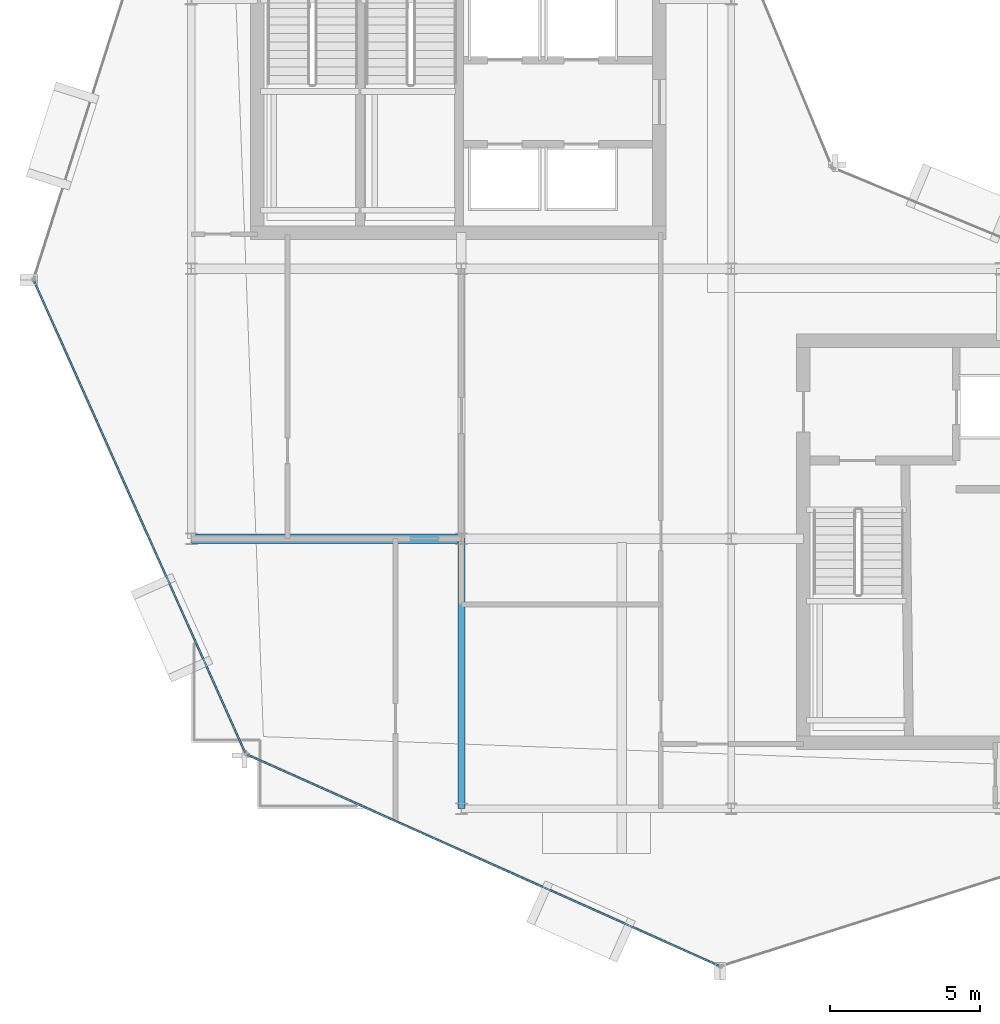
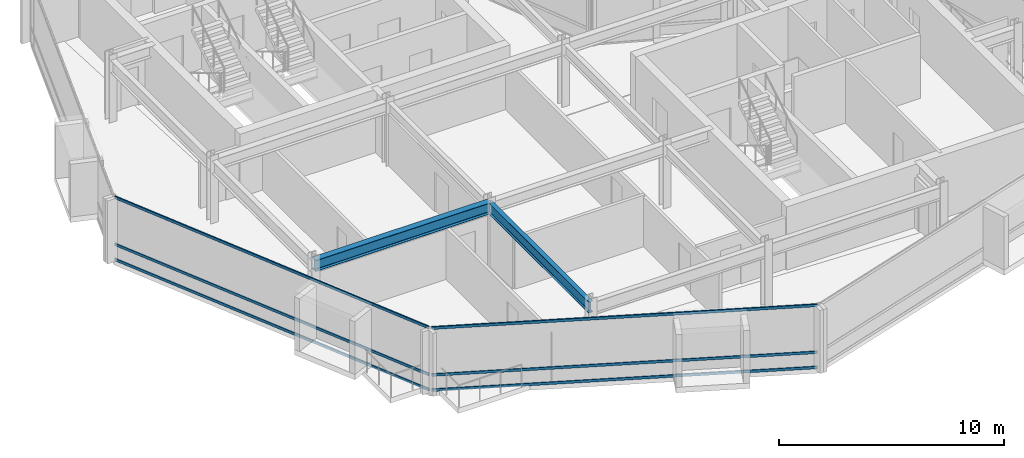
# One storey, part 3 of 19: 6 members, 2 beams, 2 elements without a shape of their own.
"""IFC4 building model written with IfcOpenShell, lengths in metres."""

from ifc_helpers import new_model, si_unit, direction, frame, origin, origin_2d, place, context, subcontext, project, spatial, hollow_rectangle, i_section, extrude, material, layer, layer_set, material_profile, profile_set, type_object, element, aggregate, save


model = new_model("IFC4")

# Units and contexts
model_context = context("Model", 3, precision=1e-05, world=origin(), true_north=direction((0.0, 1.0)))
body_context = subcontext(model_context, "Body", "Model", "MODEL_VIEW")
ifc_project = project(units=[si_unit("LENGTHUNIT", "METRE"), si_unit("AREAUNIT", "SQUARE_METRE"), si_unit("VOLUMEUNIT", "CUBIC_METRE"), si_unit("PLANEANGLEUNIT", "RADIAN"), si_unit("MASSUNIT", "GRAM", prefix="KILO")], contexts=[model_context])

# Site, building, storey
site_placement = place(None, origin())
site = spatial("IfcSite", under=ifc_project, at=site_placement, CompositionType="ELEMENT")
building_placement = place(site_placement, origin())
building = spatial("IfcBuilding", under=site, at=building_placement, Name="Solvaryn Broadcast Tower", CompositionType="ELEMENT")
storey_placement = place(building_placement, frame((0.0, 0.0, 263.0)))
storey = spatial("IfcBuildingStorey", under=building, at=storey_placement, Name="L66", CompositionType="ELEMENT", Elevation=263.0)

# Beams
ifc_material_1 = material(Name="Steel ASTM A992 Grade 50", Category="steel")
ifc_material_profile_1 = material_profile(ifc_material_1, i_section(OverallWidth=0.323974609375, OverallDepth=0.611083984375, WebThickness=0.0126953125, FlangeThickness=0.01904296875, FilletRadius=0.014892578125, at=origin_2d()))
ifc_profile_set_1 = profile_set([ifc_material_profile_1], Name="Steel ASTM A992 Grade 50")
beam_type_1 = type_object("IfcBeamType", Name="BM-B1-W24X104", PredefinedType="BEAM", material=ifc_profile_set_1)
beam_1_placement = place(storey_placement, frame((9.0, 18.0, 3.114501953125), z_axis=(1.0, 0.0, 0.0), x_axis=(0.0, 1.0, 0.0)))
element("IfcBeam", 1, at=beam_1_placement, inside=storey, type_object=beam_type_1, Name="L66 Primary Beam X (9-18 @ Y=18)", PredefinedType="BEAM", context=body_context, shape_type="SweptSolid", body=[
    extrude(i_section(OverallWidth=0.323974609375, OverallDepth=0.611083984375, WebThickness=0.0126953125, FlangeThickness=0.01904296875, FilletRadius=0.014892578125, at=origin_2d()), origin(), (0.0, 0.0, 1.0), 9.0),
])
ifc_material_2 = material(Name="Steel ASTM A992 Grade 50", Category="steel")
ifc_material_profile_2 = material_profile(ifc_material_2, i_section(OverallWidth=0.22802734375, OverallDepth=0.60791015625, WebThickness=0.01123046875, FlangeThickness=0.017333984375, FilletRadius=0.014892578125, at=origin_2d()))
ifc_profile_set_2 = profile_set([ifc_material_profile_2], Name="Steel ASTM A992 Grade 50")
beam_type_2 = type_object("IfcBeamType", Name="BM-B2-W24X76", PredefinedType="BEAM", material=ifc_profile_set_2)
beam_2_placement = place(storey_placement, frame((18.0, 9.0, 3.115966796875), z_axis=(0.0, 1.0, 0.0), x_axis=(-1.0, 0.0, 0.0)))
element("IfcBeam", 2, at=beam_2_placement, inside=storey, type_object=beam_type_2, Name="L66 Primary Beam Y (9-18 @ X=18)", PredefinedType="BEAM", context=body_context, shape_type="SweptSolid", body=[
    extrude(i_section(OverallWidth=0.22802734375, OverallDepth=0.60791015625, WebThickness=0.01123046875, FlangeThickness=0.017333984375, FilletRadius=0.014892578125, at=origin_2d()), origin(), (0.0, 0.0, 1.0), 9.0),
])

# Curtain wall, members
ifc_material_3 = material(Name="Aluminium and Terracotta Unitised Curtain Wall", Category="masonry")
ifc_layer = layer(ifc_material_3, 0.199951171875)
ifc_layer_set = layer_set([ifc_layer], Name="CW-SYS2-LOWMID")
curtain_wall_type = type_object("IfcCurtainWallType", Name="CW-SYS2-LOWMID", PredefinedType="NOTDEFINED", material=ifc_layer_set)
curtain_wall_1_placement = place(storey_placement, origin())
curtain_wall_1 = element("IfcCurtainWall", 3, at=curtain_wall_1_placement, inside=storey, type_object=curtain_wall_type, Name="L66 Curtain Wall DR2", PredefinedType="NOTDEFINED")
ifc_material_4 = material(Name="Anodised Aluminium 6063-T6", Category="aluminium")
ifc_material_profile_3 = material_profile(ifc_material_4, hollow_rectangle(XDim=0.06494140625, YDim=0.14990234375, WallThickness=0.00390625, InnerFilletRadius=0.00390625, OuterFilletRadius=0.008056640625, at=origin_2d()))
ifc_profile_set_3 = profile_set([ifc_material_profile_3], Name="Anodised Aluminium 6063-T6")
member_type = type_object("IfcMemberType", Name="CW-TRN-150", PredefinedType="USERDEFINED", material=ifc_profile_set_3)
member_1_placement = place(storey_placement, frame((3.762451171875, 26.581298828125, 0.030029296875), z_axis=(0.408468080937, -0.912772604133, 0.0), x_axis=(0.912772604133, 0.408468080937, 0.0)))
member_1 = element("IfcMember", 4, at=member_1_placement, type_object=member_type, Name="CWS2 transom 1.1", ObjectType="TRANSOM", PredefinedType="USERDEFINED", context=body_context, shape_type="SweptSolid", body=[
    extrude(hollow_rectangle(XDim=0.06494140625, YDim=0.14990234375, WallThickness=0.00390625, InnerFilletRadius=0.00390625, OuterFilletRadius=0.008056640625, at=origin_2d()), origin(), (0.0, 0.0, 1.0), 17.210693359375),
])
member_2_placement = place(storey_placement, frame((3.762451171875, 26.581298828125, 0.85009765625), z_axis=(0.408468080937, -0.912772604133, 0.0), x_axis=(0.912772604133, 0.408468080937, 0.0)))
member_2 = element("IfcMember", 5, at=member_2_placement, type_object=member_type, Name="CWS2 transom 1.2", ObjectType="TRANSOM", PredefinedType="USERDEFINED", context=body_context, shape_type="SweptSolid", body=[
    extrude(hollow_rectangle(XDim=0.06494140625, YDim=0.14990234375, WallThickness=0.00390625, InnerFilletRadius=0.00390625, OuterFilletRadius=0.008056640625, at=origin_2d()), origin(), (0.0, 0.0, 1.0), 17.210693359375),
])
member_3_placement = place(storey_placement, frame((3.762451171875, 26.581298828125, 3.389892578125), z_axis=(0.408468080937, -0.912772604133, 0.0), x_axis=(0.912772604133, 0.408468080937, 0.0)))
member_3 = element("IfcMember", 6, at=member_3_placement, type_object=member_type, Name="CWS2 transom 1.3", ObjectType="TRANSOM", PredefinedType="USERDEFINED", context=body_context, shape_type="SweptSolid", body=[
    extrude(hollow_rectangle(XDim=0.06494140625, YDim=0.14990234375, WallThickness=0.00390625, InnerFilletRadius=0.00390625, OuterFilletRadius=0.008056640625, at=origin_2d()), origin(), (0.0, 0.0, 1.0), 17.210693359375),
])
aggregate(curtain_wall_1, [member_1, member_2, member_3])

curtain_wall_2_placement = place(storey_placement, origin())
curtain_wall_2 = element("IfcCurtainWall", 7, at=curtain_wall_2_placement, inside=storey, type_object=curtain_wall_type, Name="L66 Curtain Wall DR3", PredefinedType="NOTDEFINED")
member_4_placement = place(storey_placement, frame((10.871826171875, 10.79248046875, 0.030029296875), z_axis=(0.912772604133, -0.408468080937, 0.0), x_axis=(0.408468080937, 0.912772604133, 0.0)))
member_4 = element("IfcMember", 8, at=member_4_placement, type_object=member_type, Name="CWS2 transom 1.1", ObjectType="TRANSOM", PredefinedType="USERDEFINED", context=body_context, shape_type="SweptSolid", body=[
    extrude(hollow_rectangle(XDim=0.06494140625, YDim=0.14990234375, WallThickness=0.00390625, InnerFilletRadius=0.00390625, OuterFilletRadius=0.008056640625, at=origin_2d()), origin(), (0.0, 0.0, 1.0), 17.210693359375),
])
member_5_placement = place(storey_placement, frame((10.871826171875, 10.79248046875, 0.85009765625), z_axis=(0.912772604133, -0.408468080937, 0.0), x_axis=(0.408468080937, 0.912772604133, 0.0)))
member_5 = element("IfcMember", 9, at=member_5_placement, type_object=member_type, Name="CWS2 transom 1.2", ObjectType="TRANSOM", PredefinedType="USERDEFINED", context=body_context, shape_type="SweptSolid", body=[
    extrude(hollow_rectangle(XDim=0.06494140625, YDim=0.14990234375, WallThickness=0.00390625, InnerFilletRadius=0.00390625, OuterFilletRadius=0.008056640625, at=origin_2d()), origin(), (0.0, 0.0, 1.0), 17.210693359375),
])
member_6_placement = place(storey_placement, frame((10.871826171875, 10.79248046875, 3.389892578125), z_axis=(0.912772604133, -0.408468080937, 0.0), x_axis=(0.408468080937, 0.912772604133, 0.0)))
member_6 = element("IfcMember", 10, at=member_6_placement, type_object=member_type, Name="CWS2 transom 1.3", ObjectType="TRANSOM", PredefinedType="USERDEFINED", context=body_context, shape_type="SweptSolid", body=[
    extrude(hollow_rectangle(XDim=0.06494140625, YDim=0.14990234375, WallThickness=0.00390625, InnerFilletRadius=0.00390625, OuterFilletRadius=0.008056640625, at=origin_2d()), origin(), (0.0, 0.0, 1.0), 17.210693359375),
])
aggregate(curtain_wall_2, [member_4, member_5, member_6])

save(model, "model.ifc")
